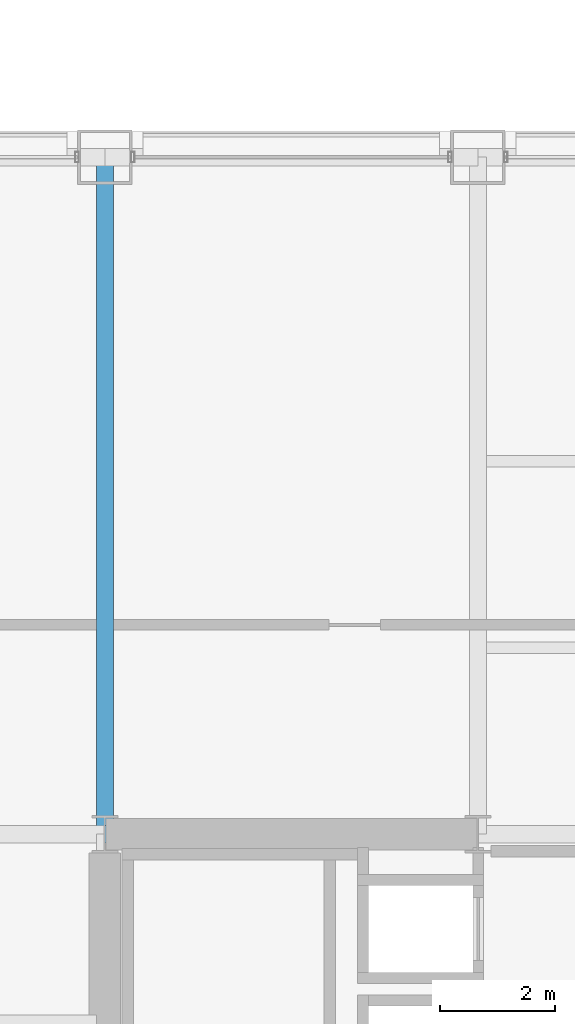
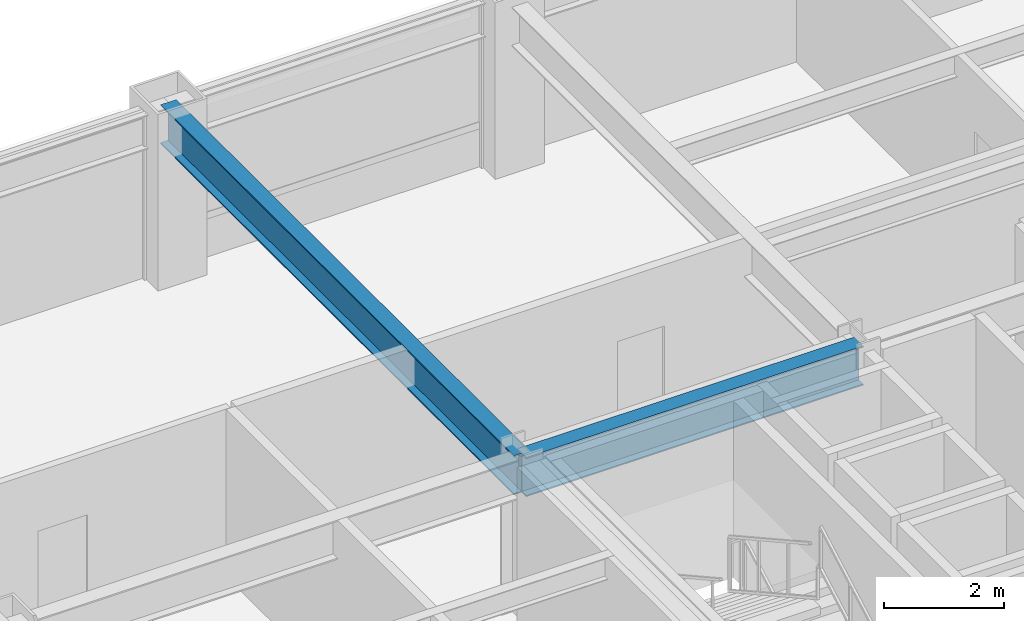
# One storey, part 15 of 31: 2 beams.
"""IFC4 building model written with IfcOpenShell, lengths in metres."""

import ifcopenshell
import ifcopenshell.guid

model = None  # the IFC model being written
_history = None  # IfcOwnerHistory: only IFC2X3 demands one
_inside = {}  # id of a spatial element -> (the spatial element, [elements in it])
_under = {}  # id of a project, library or spatial element -> (it, [spatial elements below it])
_declared = {}  # id of a project -> (the project, [libraries it declares])
_typed = {}  # id of a type object -> (the type object, [elements of that type])
_made_of = {}  # id of a material, layer set ... -> (it, [elements and type objects made of it])


def new_model(schema):
    """Start an empty IFC model of exactly this schema.

    Asked for "IFC4X3", IfcOpenShell would pick the latest addendum, in which some entities
    have other attributes; the version numbers below select the first issue.
    IFC2X3 requires an IfcOwnerHistory on every rooted entity: one is made here for all.
    """
    global model, _history
    if schema == "IFC4X3":
        model = ifcopenshell.file(schema_version=(4, 3, 0, 0))
    else:
        model = ifcopenshell.file(schema=schema)
    _inside.clear()
    _under.clear()
    _declared.clear()
    _typed.clear()
    _made_of.clear()
    _history = None
    if model.schema == "IFC2X3":
        org = make("IfcOrganization", Name="unknown")
        user = make(
            "IfcPersonAndOrganization",
            ThePerson=make("IfcPerson", FamilyName="unknown"),
            TheOrganization=org,
        )
        app = make(
            "IfcApplication",
            ApplicationDeveloper=org,
            Version="unknown",
            ApplicationFullName="unknown",
            ApplicationIdentifier="unknown",
        )
        _history = make(
            "IfcOwnerHistory",
            OwningUser=user,
            OwningApplication=app,
            ChangeAction="ADDED",
            CreationDate=0,
        )
    return model


def make(cls, **values):
    """One entity of the class cls with the attributes given. An attribute that is None is left unset."""
    return model.create_entity(
        cls, **{name: value for name, value in values.items() if value is not None}
    )


def rooted(cls, **values):
    """An entity with a GlobalId (a new one), such as an element, a storey or a relation."""
    return make(cls, GlobalId=ifcopenshell.guid.new(), OwnerHistory=_history, **values)


def si_unit(unit_type, name, prefix=None):
    """IfcSIUnit, for example si_unit("LENGTHUNIT", "METRE", prefix="MILLI")."""
    return make("IfcSIUnit", UnitType=unit_type, Prefix=prefix, Name=name)


def assignment(units):
    """IfcUnitAssignment: the units of a project."""
    return None if units is None else make("IfcUnitAssignment", Units=units)


def point(xyz):
    """IfcCartesianPoint."""
    return None if xyz is None else make("IfcCartesianPoint", Coordinates=xyz)


def direction(xyz):
    """IfcDirection."""
    return None if xyz is None else make("IfcDirection", DirectionRatios=xyz)


def frame(location, z_axis=None, x_axis=None):
    """IfcAxis2Placement3D, a coordinate frame: its origin and axes. An axis left out is left unset."""
    return make(
        "IfcAxis2Placement3D",
        Location=point(location),
        Axis=direction(z_axis),
        RefDirection=direction(x_axis),
    )


def frame_2d(location, x_axis=None):
    """IfcAxis2Placement2D, a coordinate frame in the plane: its origin and x axis."""
    return make(
        "IfcAxis2Placement2D", Location=point(location), RefDirection=direction(x_axis)
    )


def origin():
    """The frame at (0, 0, 0) with its axes left unset."""
    return frame((0.0, 0.0, 0.0))


def origin_2d():
    """The frame at (0, 0) in the plane with its x axis left unset."""
    return frame_2d((0.0, 0.0))


def place(relative_to, where):
    """IfcLocalPlacement: puts the frame where relative to a parent placement (None: the world)."""
    return make(
        "IfcLocalPlacement", PlacementRelTo=relative_to, RelativePlacement=where
    )


def context(
    kind, dimensions, precision=None, world=None, true_north=None, identifier=None
):
    """IfcGeometricRepresentationContext, for example the 3D "Model" context."""
    return make(
        "IfcGeometricRepresentationContext",
        ContextIdentifier=identifier,
        ContextType=kind,
        CoordinateSpaceDimension=dimensions,
        Precision=precision,
        WorldCoordinateSystem=world,
        TrueNorth=true_north,
    )


def subcontext(parent, identifier, kind, view, scale=None):
    """IfcGeometricRepresentationSubContext, for example "Body" below "Model"."""
    return make(
        "IfcGeometricRepresentationSubContext",
        ContextIdentifier=identifier,
        ContextType=kind,
        ParentContext=parent,
        TargetScale=scale,
        TargetView=view,
    )


def project(units=None, contexts=None):
    """IfcProject with its units and contexts."""
    return rooted(
        "IfcProject",
        Name="project",
        RepresentationContexts=contexts,
        UnitsInContext=assignment(units),
    )


def spatial(cls, under=None, at=None, **own):
    """A site, building, storey or space (cls), placed at a placement, below another one or the project."""
    s = rooted(cls, ObjectPlacement=at, **own)
    if under is not None:
        _under.setdefault(under.id(), (under, []))[1].append(s)
    return s


def profile(cls, at=None, kind="AREA", **sizes):
    """A parametric profile (cls). Its sizes go by their IFC names, for example OverallWidth=200.0."""
    return make(cls, ProfileType=kind, Position=at, **sizes)


def i_section(**sizes):
    """IfcIShapeProfileDef."""
    return profile("IfcIShapeProfileDef", **sizes)


def extrude(swept, where, along, depth):
    """IfcExtrudedAreaSolid: the profile swept, set in the frame where, extruded along a direction by depth."""
    return make(
        "IfcExtrudedAreaSolid",
        SweptArea=swept,
        Position=where,
        ExtrudedDirection=direction(along),
        Depth=depth,
    )


def shape(context_of_items, identifier, shape_type, items):
    """IfcShapeRepresentation: the items that make up one representation, for example the "Body"."""
    return make(
        "IfcShapeRepresentation",
        ContextOfItems=context_of_items,
        RepresentationIdentifier=identifier,
        RepresentationType=shape_type,
        Items=items,
    )


def material(Name=None, Category=None):
    """IfcMaterial."""
    return make("IfcMaterial", Name=Name, Category=Category)


def material_profile(
    of_material, cross_section, Name=None, Category=None, Priority=None
):
    """IfcMaterialProfile: a cross section and its material."""
    return make(
        "IfcMaterialProfile",
        Name=Name,
        Material=of_material,
        Profile=cross_section,
        Priority=Priority,
        Category=Category,
    )


def profile_set(profiles, Name=None, composite=None):
    """IfcMaterialProfileSet."""
    return make(
        "IfcMaterialProfileSet",
        Name=Name,
        MaterialProfiles=profiles,
        CompositeProfile=composite,
    )


def made_of(thing, what):
    """Note that an element or type object is made of a material, layer set ...; save() writes the relation."""
    if what is not None:
        _made_of.setdefault(what.id(), (what, []))[1].append(thing)
    return thing


def type_object(cls, material=None, **own):
    """A type object (cls), such as IfcWallType, which elements share."""
    return made_of(rooted(cls, **own), material)


def element(
    cls,
    number,
    at=None,
    inside=None,
    cuts=None,
    type_object=None,
    material=None,
    context=None,
    identifier="Body",
    shape_type=None,
    held_by="IfcProductDefinitionShape",
    body=None,
    shapes=None,
    **own,
):
    """One element of the class cls, such as IfcWall. Its Tag is "e" and its number.

    at: its placement. inside: the storey or other place that contains it. cuts: it is an
    opening in that element (IfcRelVoidsElement). A single representation is given by context,
    identifier, shape_type and body (its items); several are given by shapes. held_by: the class
    of the entity that holds the representations. save() writes the other relations.
    """
    e = rooted(cls, Tag="e%d" % number, ObjectPlacement=at, **own)
    if body is not None:
        shapes = [shape(context, identifier, shape_type, body)]
    if shapes is not None:
        e.Representation = make(held_by, Representations=shapes)
    if inside is not None:
        _inside.setdefault(inside.id(), (inside, []))[1].append(e)
    if cuts is not None:
        rooted(
            "IfcRelVoidsElement", RelatingBuildingElement=cuts, RelatedOpeningElement=e
        )
    if type_object is not None:
        _typed.setdefault(type_object.id(), (type_object, []))[1].append(e)
    return made_of(e, material)


def aggregate(whole, parts):
    """IfcRelAggregates: a whole, such as a stair, and the parts it consists of."""
    return rooted("IfcRelAggregates", RelatingObject=whole, RelatedObjects=parts)


def save(model, path):
    """Write the relations noted so far, then the file.

    IfcRelAggregates (storeys below a building ...), IfcRelContainedInSpatialStructure (elements
    in a storey), IfcRelDefinesByType, IfcRelAssociatesMaterial and IfcRelDeclares: one each for
    every whole, place, type object, material and project.
    """
    for whole, parts in _under.values():
        aggregate(whole, parts)
    for where, things in _inside.values():
        rooted(
            "IfcRelContainedInSpatialStructure",
            RelatedElements=things,
            RelatingStructure=where,
        )
    for kind, things in _typed.values():
        rooted("IfcRelDefinesByType", RelatedObjects=things, RelatingType=kind)
    for what, things in _made_of.values():
        rooted("IfcRelAssociatesMaterial", RelatedObjects=things, RelatingMaterial=what)
    for by, libraries in _declared.values():
        rooted("IfcRelDeclares", RelatingContext=by, RelatedDefinitions=libraries)
    model.write(path)


model = new_model("IFC4")

# Units and contexts
model_context = context("Model", 3, precision=1e-05, world=origin(), true_north=direction((0.0, 1.0)))
body_context = subcontext(model_context, "Body", "Model", "MODEL_VIEW")
ifc_project = project(units=[si_unit("LENGTHUNIT", "METRE"), si_unit("AREAUNIT", "SQUARE_METRE"), si_unit("VOLUMEUNIT", "CUBIC_METRE"), si_unit("PLANEANGLEUNIT", "RADIAN"), si_unit("MASSUNIT", "GRAM", prefix="KILO")], contexts=[model_context])

# Site, building, storey
site_placement = place(None, origin())
site = spatial("IfcSite", under=ifc_project, at=site_placement, CompositionType="ELEMENT")
building_placement = place(site_placement, origin())
building = spatial("IfcBuilding", under=site, at=building_placement, Name="Brelmoor Portico Tower", CompositionType="ELEMENT")
storey_placement = place(building_placement, frame((0.0, 0.0, 42.0)))
storey = spatial("IfcBuildingStorey", under=building, at=storey_placement, Name="L10", CompositionType="ELEMENT", Elevation=42.0)

# Beams
ifc_material = material(Name="Steel Q355B", Category="steel")
ifc_material_profile = material_profile(ifc_material, i_section(OverallWidth=0.300048828125, OverallDepth=0.800048828125, WebThickness=0.013916015625, FlangeThickness=0.02587890625, at=origin_2d()), Name="HN 800x300x14x26")
ifc_profile_set = profile_set([ifc_material_profile], Name="Steel Q355B")
beam_type = type_object("IfcBeamType", Name="BM-PG-800", PredefinedType="BEAM", material=ifc_profile_set)
beam_1_placement = place(storey_placement, frame((-14.550048828125, 9.75, 3.0), z_axis=(0.0, 1.0, 0.0), x_axis=(-1.0, 0.0, 0.0)))
element("IfcBeam", 1, at=beam_1_placement, inside=storey, type_object=beam_type, Name="L10 Primary Floor Girder PG-06", PredefinedType="BEAM", context=body_context, shape_type="SweptSolid", body=[
    extrude(i_section(OverallWidth=0.300048828125, OverallDepth=0.800048828125, WebThickness=0.013916015625, FlangeThickness=0.02587890625, at=origin_2d()), origin(), (0.0, 0.0, 1.0), 11.800048828125),
])
beam_2_placement = place(storey_placement, frame((-14.550048828125, 9.75, 3.0), z_axis=(1.0, 0.0, 0.0), x_axis=(0.0, 1.0, 0.0)))
element("IfcBeam", 2, at=beam_2_placement, inside=storey, type_object=beam_type, Name="L10 Primary Floor Girder PG-28", PredefinedType="BEAM", context=body_context, shape_type="SweptSolid", body=[
    extrude(i_section(OverallWidth=0.300048828125, OverallDepth=0.800048828125, WebThickness=0.013916015625, FlangeThickness=0.02587890625, at=origin_2d()), origin(), (0.0, 0.0, 1.0), 6.5),
])

save(model, "model.ifc")
